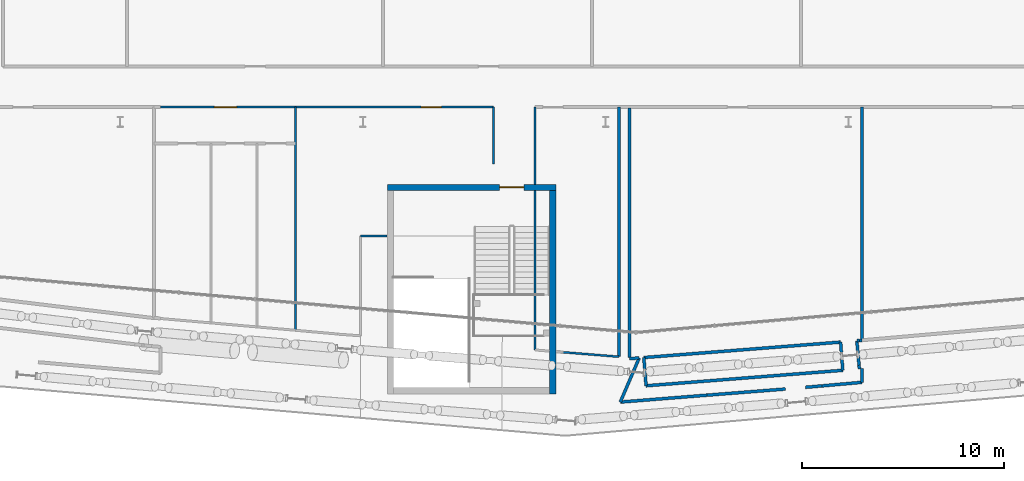
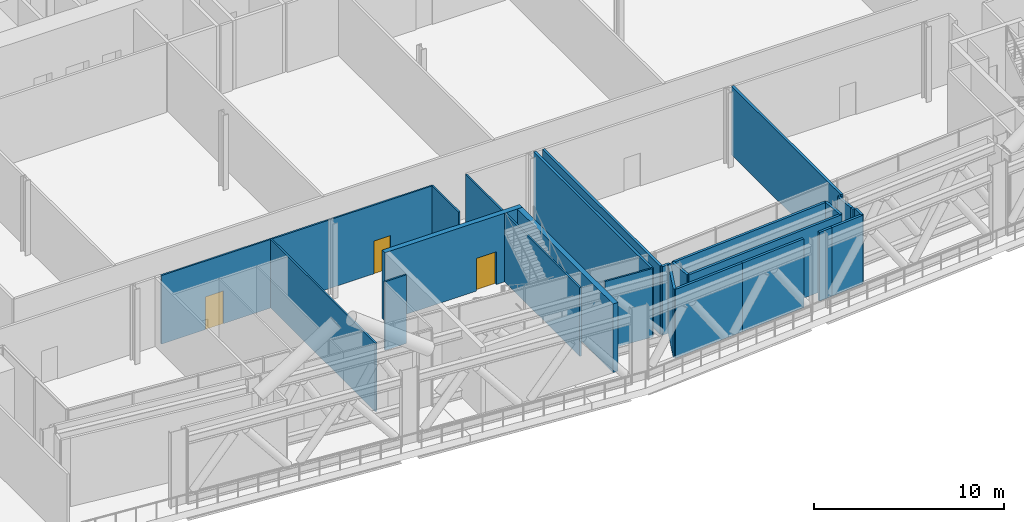
# One storey, part 17 of 39: 27 walls, 3 doors, 3 openings.
"""IFC4 building model written with IfcOpenShell, lengths in metres."""

from ifc_helpers import new_model, si_unit, direction, frame, frame_2d, origin, place, context, subcontext, project, spatial, rectangle, extrude, material, layer, layer_set, type_object, element, fill, save


model = new_model("IFC4")

# Units and contexts
model_context = context("Model", 3, precision=1e-05, world=origin(), true_north=direction((0.0, 1.0)))
body_context = subcontext(model_context, "Body", "Model", "MODEL_VIEW")
ifc_project = project(units=[si_unit("LENGTHUNIT", "METRE"), si_unit("AREAUNIT", "SQUARE_METRE"), si_unit("VOLUMEUNIT", "CUBIC_METRE"), si_unit("PLANEANGLEUNIT", "RADIAN"), si_unit("MASSUNIT", "GRAM", prefix="KILO")], contexts=[model_context])

# Site, building, storey
site_placement = place(None, origin())
site = spatial("IfcSite", under=ifc_project, at=site_placement, CompositionType="ELEMENT")
building_placement = place(site_placement, origin())
building = spatial("IfcBuilding", under=site, at=building_placement, Name="Wharfspan Tower", CompositionType="ELEMENT")
storey_placement = place(building_placement, frame((0.0, 0.0, 91.899902)))
storey = spatial("IfcBuildingStorey", under=building, at=storey_placement, Name="L20", CompositionType="ELEMENT", Elevation=91.899902)

# Wall, openings, doors
ifc_material_1 = material(Name="Gypsum board on steel studs", Category="steel")
ifc_layer_1 = layer(ifc_material_1, 0.100098)
ifc_layer_set_1 = layer_set([ifc_layer_1], Name="Gypsum board on steel studs")
wall_type_1 = type_object("IfcWallType", Name="Compartment wall 100 EI 60", PredefinedType="PARTITIONING", material=ifc_layer_set_1)
wall_1_placement = place(storey_placement, frame((26.0, 12.22998, 0.0), z_axis=(0.0, 0.0, 1.0), x_axis=(1.0, 0.0, 0.0)))
wall_1 = element("IfcWall", 1, at=wall_1_placement, inside=storey, type_object=wall_type_1, Name="Partition L20.w047", PredefinedType="PARTITIONING", context=body_context, shape_type="SweptSolid", body=[
    extrude(rectangle(XDim=16.459961, YDim=0.100098, at=frame_2d((8.22998, 0.0))), origin(), (0.0, 0.0, 1.0), 4.400146),
])
opening_1_placement = place(wall_1_placement, frame((2.655029, 0.0, 0.0)))
opening_1 = element("IfcOpeningElement", 2, at=opening_1_placement, cuts=wall_1, Name="Opening BA-05", PredefinedType="OPENING", context=body_context, shape_type="SweptSolid", body=[
    extrude(rectangle(XDim=1.100098, YDim=2.100098, at=frame_2d((0.550049, 1.050049))), frame((0.0, 0.060059, 0.0), z_axis=(0.0, -1.0, 0.0), x_axis=(1.0, 0.0, 0.0)), (0.0, 0.0, 1.0), 0.120117),
])
opening_2_placement = place(wall_1_placement, frame((12.88501, 0.0, 0.0)))
opening_2 = element("IfcOpeningElement", 3, at=opening_2_placement, cuts=wall_1, Name="Opening BA-08", PredefinedType="OPENING", context=body_context, shape_type="SweptSolid", body=[
    extrude(rectangle(XDim=1.0, YDim=2.100098, at=frame_2d((0.5, 1.050049))), frame((0.0, 0.060059, 0.0), z_axis=(0.0, -1.0, 0.0), x_axis=(1.0, 0.0, 0.0)), (0.0, 0.0, 1.0), 0.120117),
])
ifc_material_2 = material(Name="Fire-rated timber door leaf in steel frame", Category="steel")
door_type_1 = type_object("IfcDoorType", Name="Door 1000 FD30S Right", OperationType="SINGLE_SWING_RIGHT", PredefinedType="DOOR", material=ifc_material_2)
door_1_placement = place(opening_2_placement, origin())
door_1 = element("IfcDoor", 4, at=door_1_placement, inside=storey, type_object=door_type_1, Name="Door BA-08", OperationType="SINGLE_SWING_RIGHT", OverallHeight=2.100098, OverallWidth=1.0, PredefinedType="DOOR", context=body_context, shape_type="SweptSolid", body=[
    extrude(rectangle(XDim=1.0, YDim=2.100098, at=frame_2d((0.5, 1.050049))), frame((0.0, 0.024902, 0.0), z_axis=(0.0, -1.0, 0.0), x_axis=(1.0, 0.0, 0.0)), (0.0, 0.0, 1.0), 0.050049),
])
fill(opening_2, door_1)
door_type_2 = type_object("IfcDoorType", Name="Door 1100 FD30S Left", OperationType="SINGLE_SWING_LEFT", PredefinedType="DOOR", material=ifc_material_2)
door_2_placement = place(opening_1_placement, origin())
door_2 = element("IfcDoor", 5, at=door_2_placement, inside=storey, type_object=door_type_2, Name="Door BA-05", OperationType="SINGLE_SWING_LEFT", OverallHeight=2.100098, OverallWidth=1.100098, PredefinedType="DOOR", context=body_context, shape_type="SweptSolid", body=[
    extrude(rectangle(XDim=1.100098, YDim=2.100098, at=frame_2d((0.550049, 1.050049))), frame((0.0, 0.024902, 0.0), z_axis=(0.0, -1.0, 0.0), x_axis=(1.0, 0.0, 0.0)), (0.0, 0.0, 1.0), 0.050049),
])
fill(opening_1, door_2)

# Walls
wall_2_placement = place(storey_placement, frame((32.669922, 1.199951, 0.0), z_axis=(0.0, 0.0, 1.0), x_axis=(0.0, 1.0, 0.0)))
element("IfcWall", 6, at=wall_2_placement, inside=storey, type_object=wall_type_1, Name="Partition L20.w054", PredefinedType="PARTITIONING", context=body_context, shape_type="SweptSolid", body=[
    extrude(rectangle(XDim=11.030029, YDim=0.100098, at=frame_2d((5.515137, 0.0))), origin(), (0.0, 0.0, 1.0), 4.400146),
])
wall_3_placement = place(storey_placement, frame((42.459961, 9.416992, 0.0), z_axis=(0.0, 0.0, 1.0), x_axis=(0.0, 1.0, 0.0)))
element("IfcWall", 7, at=wall_3_placement, inside=storey, type_object=wall_type_1, Name="Partition L20.w061", PredefinedType="PARTITIONING", context=body_context, shape_type="SweptSolid", body=[
    extrude(rectangle(XDim=2.818115, YDim=0.100098, at=frame_2d((1.40918, 0.0))), origin(), (0.0, 0.0, 1.0), 4.400146),
])
wall_4_placement = place(storey_placement, frame((44.51001, 0.226318, 0.0), z_axis=(0.0, 0.0, 1.0), x_axis=(0.0, 1.0, 0.0)))
element("IfcWall", 8, at=wall_4_placement, inside=storey, type_object=wall_type_1, Name="Partition L20.w062", PredefinedType="PARTITIONING", context=body_context, shape_type="SweptSolid", body=[
    extrude(rectangle(XDim=7.890625, YDim=0.100098, at=frame_2d((3.945312, 0.0))), origin(), (0.0, 0.0, 1.0), 4.400146),
])
wall_5_placement = place(storey_placement, frame((44.51001, 8.416992, 0.0), z_axis=(0.0, 0.0, 1.0), x_axis=(0.0, 1.0, 0.0)))
element("IfcWall", 9, at=wall_5_placement, inside=storey, type_object=wall_type_1, Name="Partition L20.w062 (2)", PredefinedType="PARTITIONING", context=body_context, shape_type="SweptSolid", body=[
    extrude(rectangle(XDim=3.818115, YDim=0.100098, at=frame_2d((1.90918, 0.0))), origin(), (0.0, 0.0, 1.0), 4.400146),
])
ifc_layer_2 = layer(ifc_material_1, 0.100098)
ifc_layer_set_2 = layer_set([ifc_layer_2], Name="Gypsum board on steel studs")
wall_type_2 = type_object("IfcWallType", Name="Partition 100", PredefinedType="PARTITIONING", material=ifc_layer_set_2)
wall_6_placement = place(storey_placement, frame((35.88501, 5.860107, 0.0), z_axis=(0.0, 0.0, 1.0), x_axis=(1.0, 0.0, 0.0)))
element("IfcWall", 10, at=wall_6_placement, inside=storey, type_object=wall_type_2, Name="Partition L20.w059", PredefinedType="PARTITIONING", context=body_context, shape_type="SweptSolid", body=[
    extrude(rectangle(XDim=1.303223, YDim=0.100098, at=frame_2d((0.651611, 0.0))), origin(), (0.0, 0.0, 1.0), 4.400146),
])
wall_7_placement = place(storey_placement, frame((48.665039, -0.109375, 0.0), z_axis=(0.0, 0.0, 1.0), x_axis=(-0.996746, 0.080553, 0.0)))
element("IfcWall", 11, at=wall_7_placement, inside=storey, type_object=wall_type_2, Name="Partition L20.w067", PredefinedType="PARTITIONING", context=body_context, shape_type="SweptSolid", body=[
    extrude(rectangle(XDim=2.773193, YDim=0.100098, at=frame_2d((1.386719, 0.0))), origin(), (0.0, 0.0, 1.0), 4.400146),
])
ifc_layer_3 = layer(ifc_material_1, 0.149902)
ifc_layer_set_3 = layer_set([ifc_layer_3], Name="Gypsum board on steel studs")
wall_type_3 = type_object("IfcWallType", Name="Plant room wall 150 EI 120", PredefinedType="PARTITIONING", material=ifc_layer_set_3)
wall_8_placement = place(storey_placement, frame((48.665039, -0.109375, 0.0), z_axis=(0.0, 0.0, 1.0), x_axis=(0.0, 1.0, 0.0)))
element("IfcWall", 12, at=wall_8_placement, inside=storey, type_object=wall_type_3, Name="Partition L20.w068", PredefinedType="PARTITIONING", context=body_context, shape_type="SweptSolid", body=[
    extrude(rectangle(XDim=12.344482, YDim=0.149902, at=frame_2d((6.172363, 0.0))), origin(), (0.0, 0.0, 1.0), 4.400146),
])
wall_9_placement = place(storey_placement, frame((48.725098, -2.350098, 0.0), z_axis=(0.0, 0.0, 1.0), x_axis=(0.393869, 0.919165, 0.0)))
element("IfcWall", 13, at=wall_9_placement, inside=storey, type_object=wall_type_3, Name="Partition L20.w069", PredefinedType="PARTITIONING", context=body_context, shape_type="SweptSolid", body=[
    extrude(rectangle(XDim=2.37207, YDim=0.149902, at=frame_2d((1.186035, 0.0))), origin(), (0.0, 0.0, 1.0), 4.400146),
])
wall_10_placement = place(storey_placement, frame((48.725098, -2.350098, 0.0), z_axis=(0.0, 0.0, 1.0), x_axis=(0.996857, 0.079214, 0.0)))
element("IfcWall", 14, at=wall_10_placement, inside=storey, type_object=wall_type_3, Name="Partition L20.w070", PredefinedType="PARTITIONING", context=body_context, shape_type="SweptSolid", body=[
    extrude(rectangle(XDim=4.293213, YDim=0.149902, at=frame_2d((2.146484, 0.0))), origin(), (0.0, 0.0, 1.0), 4.400146),
])
wall_11_placement = place(storey_placement, frame((49.179932, -0.205078, 0.0), z_axis=(0.0, 0.0, 1.0), x_axis=(0.997271, 0.073796, 0.0)))
element("IfcWall", 15, at=wall_11_placement, inside=storey, type_object=wall_type_3, Name="Partition L20.w071", PredefinedType="PARTITIONING", context=body_context, shape_type="SweptSolid", body=[
    extrude(rectangle(XDim=0.476318, YDim=0.149902, at=frame_2d((0.238281, 0.0))), origin(), (0.0, 0.0, 1.0), 4.400146),
])
wall_12_placement = place(storey_placement, frame((49.179932, -0.149902, 0.0), z_axis=(0.0, 0.0, 1.0), x_axis=(0.0, 1.0, 0.0)))
element("IfcWall", 16, at=wall_12_placement, inside=storey, type_object=wall_type_3, Name="Partition L20.w072", PredefinedType="PARTITIONING", context=body_context, shape_type="SweptSolid", body=[
    extrude(rectangle(XDim=12.344971, YDim=0.149902, at=frame_2d((6.172363, 0.0))), origin(), (0.0, 0.0, 1.0), 4.400146),
])
for number, where, z_axis, x_axis, name in (
    (17, (49.889893, -0.149902, 0.0), (0.0, 0.0, 1.0), (0.996918, 0.078409, 0.0), "Partition L20.w074"),
    (18, (50.0, -1.544922, 0.0), (0.0, 0.0, 1.0), (0.996918, 0.078409, 0.0), "Partition L20.w075"),
):
    element("IfcWall", number, at=place(storey_placement, frame(where, z_axis=z_axis, x_axis=x_axis)), inside=storey, type_object=wall_type_3, Name=name, PredefinedType="PARTITIONING", context=body_context, shape_type="SweptSolid", body=[
        extrude(rectangle(XDim=9.755127, YDim=0.149902, at=frame_2d((4.877441, 0.0))), origin(), (0.0, 0.0, 1.0), 4.400146),
    ])
wall_13_placement = place(storey_placement, frame((50.0, -1.544922, 0.0), z_axis=(0.0, 0.0, 1.0), x_axis=(-0.078684, 0.996897, 0.0)))
element("IfcWall", 19, at=wall_13_placement, inside=storey, type_object=wall_type_3, Name="Partition L20.w076", PredefinedType="PARTITIONING", context=body_context, shape_type="SweptSolid", body=[
    extrude(rectangle(XDim=1.399414, YDim=0.149902, at=frame_2d((0.699707, 0.0))), origin(), (0.0, 0.0, 1.0), 4.400146),
])
wall_14_placement = place(storey_placement, frame((53.004883, -2.01001, 0.0), z_axis=(0.0, 0.0, 1.0), x_axis=(0.996922, 0.078346, 0.0)))
element("IfcWall", 20, at=wall_14_placement, inside=storey, type_object=wall_type_3, Name="Partition L20.w077", PredefinedType="PARTITIONING", context=body_context, shape_type="SweptSolid", body=[
    extrude(rectangle(XDim=3.89209, YDim=0.149902, at=frame_2d((1.946045, 0.0))), origin(), (0.0, 0.0, 1.0), 4.400146),
])
wall_15_placement = place(storey_placement, frame((57.88501, -1.620117, 0.0), z_axis=(0.0, 0.0, 1.0), x_axis=(0.996279, 0.086176, 0.0)))
element("IfcWall", 21, at=wall_15_placement, inside=storey, type_object=wall_type_3, Name="Partition L20.w079", PredefinedType="PARTITIONING", context=body_context, shape_type="SweptSolid", body=[
    extrude(rectangle(XDim=0.812988, YDim=0.149902, at=frame_2d((0.406494, 0.0))), origin(), (0.0, 0.0, 1.0), 4.400146),
])
wall_16_placement = place(storey_placement, frame((58.695068, -1.550049, 0.0), z_axis=(0.0, 0.0, 1.0), x_axis=(0.996077, 0.08851, 0.0)))
element("IfcWall", 22, at=wall_16_placement, inside=storey, type_object=wall_type_3, Name="Partition L20.w080", PredefinedType="PARTITIONING", context=body_context, shape_type="SweptSolid", body=[
    extrude(rectangle(XDim=1.977783, YDim=0.149902, at=frame_2d((0.98877, 0.0))), origin(), (0.0, 0.0, 1.0), 4.400146),
])
wall_17_placement = place(storey_placement, frame((59.725098, -0.780029, 0.0), z_axis=(0.0, 0.0, 1.0), x_axis=(-0.078684, 0.996897, 0.0)))
element("IfcWall", 23, at=wall_17_placement, inside=storey, type_object=wall_type_3, Name="Partition L20.w081", PredefinedType="PARTITIONING", context=body_context, shape_type="SweptSolid", body=[
    extrude(rectangle(XDim=1.399414, YDim=0.149902, at=frame_2d((0.699707, 0.0))), origin(), (0.0, 0.0, 1.0), 4.400146),
])
wall_18_placement = place(storey_placement, frame((60.425049, 0.679932, 0.0), z_axis=(0.0, 0.0, 1.0), x_axis=(0.992121, 0.125278, 0.0)))
element("IfcWall", 24, at=wall_18_placement, inside=storey, type_object=wall_type_3, Name="Partition L20.w082", PredefinedType="PARTITIONING", context=body_context, shape_type="SweptSolid", body=[
    extrude(rectangle(XDim=0.12085, YDim=0.149902, at=frame_2d((0.060547, 0.0))), origin(), (0.0, 0.0, 1.0), 4.400146),
])
wall_19_placement = place(storey_placement, frame((60.530029, -0.530029, 0.0), z_axis=(0.0, 0.0, 1.0), x_axis=(-0.090626, 0.995881, 0.0)))
element("IfcWall", 25, at=wall_19_placement, inside=storey, type_object=wall_type_3, Name="Partition L20.w083", PredefinedType="PARTITIONING", context=body_context, shape_type="SweptSolid", body=[
    extrude(rectangle(XDim=1.214844, YDim=0.149902, at=frame_2d((0.607422, 0.0))), origin(), (0.0, 0.0, 1.0), 4.400146),
])
wall_20_placement = place(storey_placement, frame((60.544922, -0.715088, 0.0), z_axis=(0.0, 0.0, 1.0), x_axis=(-0.080216, 0.996782, 0.0)))
element("IfcWall", 26, at=wall_20_placement, inside=storey, type_object=wall_type_3, Name="Partition L20.w084", PredefinedType="PARTITIONING", context=body_context, shape_type="SweptSolid", body=[
    extrude(rectangle(XDim=0.185547, YDim=0.149902, at=frame_2d((0.092773, 0.0))), origin(), (0.0, 0.0, 1.0), 4.400146),
])
wall_21_placement = place(storey_placement, frame((60.544922, 0.695068, 0.0), z_axis=(0.0, 0.0, 1.0), x_axis=(0.996542, 0.083045, 0.0)))
element("IfcWall", 27, at=wall_21_placement, inside=storey, type_object=wall_type_3, Name="Partition L20.w085", PredefinedType="PARTITIONING", context=body_context, shape_type="SweptSolid", body=[
    extrude(rectangle(XDim=0.120605, YDim=0.149902, at=frame_2d((0.060303, 0.0))), origin(), (0.0, 0.0, 1.0), 4.400146),
])
wall_22_placement = place(storey_placement, frame((60.665039, -1.375, 0.0), z_axis=(0.0, 0.0, 1.0), x_axis=(0.0, 1.0, 0.0)))
element("IfcWall", 28, at=wall_22_placement, inside=storey, type_object=wall_type_3, Name="Partition L20.w086", PredefinedType="PARTITIONING", context=body_context, shape_type="SweptSolid", body=[
    extrude(rectangle(XDim=0.675049, YDim=0.149902, at=frame_2d((0.337402, 0.0))), origin(), (0.0, 0.0, 1.0), 4.400146),
])
wall_23_placement = place(storey_placement, frame((60.669922, 0.705078, 0.0), z_axis=(0.0, 0.0, 1.0), x_axis=(0.0, 1.0, 0.0)))
element("IfcWall", 29, at=wall_23_placement, inside=storey, type_object=wall_type_3, Name="Partition L20.w087", PredefinedType="PARTITIONING", context=body_context, shape_type="SweptSolid", body=[
    extrude(rectangle(XDim=11.530029, YDim=0.149902, at=frame_2d((5.765137, 0.0))), origin(), (0.0, 0.0, 1.0), 4.400146),
])

# Wall, opening, door
ifc_material_3 = material(Name="Concrete C40/50", Category="concrete")
ifc_layer_4 = layer(ifc_material_3, 0.300049)
ifc_layer_set_4 = layer_set([ifc_layer_4], Name="Concrete C40/50")
wall_type_4 = type_object("IfcWallType", Name="Stair core wall 300", PredefinedType="SHEAR", material=ifc_layer_set_4)
wall_24_placement = place(storey_placement, frame((37.208252, 8.26709, 0.0), z_axis=(0.0, 0.0, 1.0), x_axis=(1.0, 0.0, 0.0)))
wall_24 = element("IfcWall", 30, at=wall_24_placement, inside=storey, type_object=wall_type_4, Name="ST4 stair enclosure wall L20", PredefinedType="SHEAR", context=body_context, shape_type="SweptSolid", body=[
    extrude(rectangle(XDim=8.327148, YDim=0.300049, at=frame_2d((4.163574, 0.0))), origin(), (0.0, 0.0, 1.0), 4.400146),
])
opening_3_placement = place(wall_24_placement, frame((5.552002, 0.0, 0.0)))
opening_3 = element("IfcOpeningElement", 31, at=opening_3_placement, cuts=wall_24, Name="Opening SD4.L20", PredefinedType="OPENING", context=body_context, shape_type="SweptSolid", body=[
    extrude(rectangle(XDim=1.199951, YDim=2.100098, at=frame_2d((0.600098, 1.050049))), frame((0.0, 0.159912, 0.0), z_axis=(0.0, -1.0, 0.0), x_axis=(1.0, 0.0, 0.0)), (0.0, 0.0, 1.0), 0.320068),
])
ifc_material_4 = material(Name="Steel door leaf", Category="steel")
door_type_3 = type_object("IfcDoorType", Name="Stair door 1200x2100", OperationType="SINGLE_SWING_LEFT", PredefinedType="DOOR", material=ifc_material_4)
door_3_placement = place(opening_3_placement, origin())
door_3 = element("IfcDoor", 32, at=door_3_placement, inside=storey, type_object=door_type_3, Name="sd:L20:ST4z2", OperationType="SINGLE_SWING_RIGHT", OverallHeight=2.100098, OverallWidth=1.199951, PredefinedType="DOOR", context=body_context, shape_type="SweptSolid", body=[
    extrude(rectangle(XDim=1.199951, YDim=2.100098, at=frame_2d((0.600098, 1.050049))), frame((0.0, 0.024902, 0.0), z_axis=(0.0, -1.0, 0.0), x_axis=(1.0, 0.0, 0.0)), (0.0, 0.0, 1.0), 0.050049),
])
fill(opening_3, door_3)

# Wall
wall_25_placement = place(storey_placement, frame((45.385254, -1.939453, 0.0), z_axis=(0.0, 0.0, 1.0), x_axis=(0.0, 1.0, 0.0)))
element("IfcWall", 33, at=wall_25_placement, inside=storey, type_object=wall_type_4, Name="ST4 stair enclosure wall L20", PredefinedType="SHEAR", context=body_context, shape_type="SweptSolid", body=[
    extrude(rectangle(XDim=10.056396, YDim=0.300049, at=frame_2d((5.02832, 0.0))), origin(), (0.0, 0.0, 1.0), 4.400146),
])

save(model, "model.ifc")
